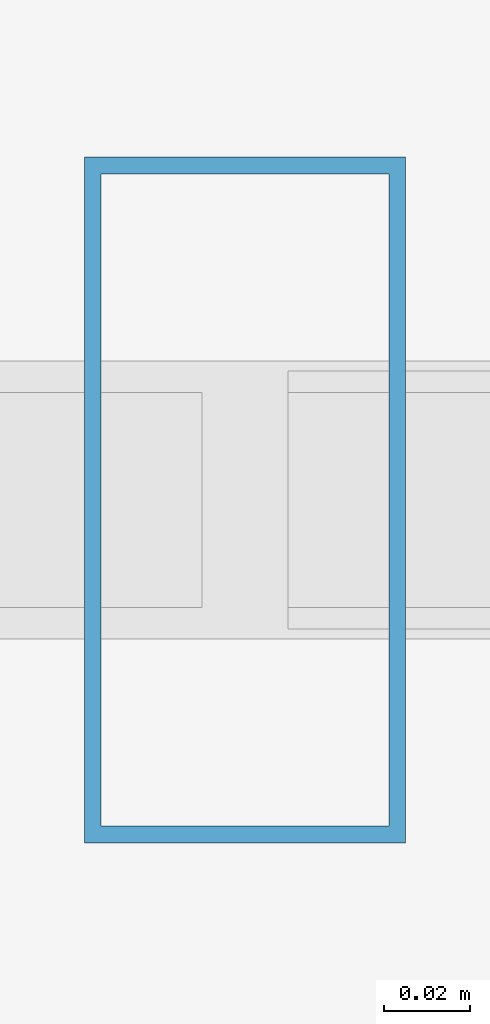
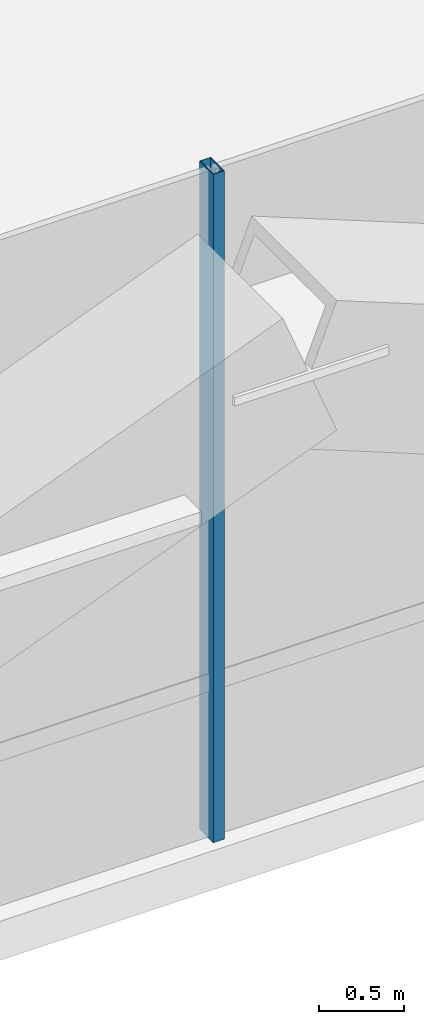
# One storey, part 8 of 39: 1 member, 1 element without a shape of its own.
"""IFC4 building model written with IfcOpenShell, lengths in metres."""

from ifc_helpers import new_model, si_unit, direction, frame, origin, origin_2d, place, context, subcontext, project, spatial, hollow_rectangle, extrude, source, transform, mapped, material, material_profile, profile_set, type_object, element, aggregate, save


model = new_model("IFC4")

# Units and contexts
model_context = context("Model", 3, precision=1e-05, world=origin(), true_north=direction((0.0, 1.0)))
body_context = subcontext(model_context, "Body", "Model", "MODEL_VIEW")
ifc_project = project(units=[si_unit("LENGTHUNIT", "METRE"), si_unit("AREAUNIT", "SQUARE_METRE"), si_unit("VOLUMEUNIT", "CUBIC_METRE"), si_unit("PLANEANGLEUNIT", "RADIAN"), si_unit("MASSUNIT", "GRAM", prefix="KILO")], contexts=[model_context])

# Site, building, storey
site_placement = place(None, origin())
site = spatial("IfcSite", under=ifc_project, at=site_placement, CompositionType="ELEMENT")
building_placement = place(site_placement, origin())
building = spatial("IfcBuilding", under=site, at=building_placement, Name="Valdorenza Pilgrim Sanctuary Tower", CompositionType="ELEMENT")
storey_placement = place(building_placement, frame((0.0, 0.0, 15.60009765625)))
storey = spatial("IfcBuildingStorey", under=building, at=storey_placement, Name="L03", CompositionType="ELEMENT", Elevation=15.60009765625)

# Curtain wall, member
ifc_material_1 = material(Name="Curtain-wall IGU glazing", Category="glass")
curtain_wall_type = type_object("IfcCurtainWallType", Name="CW-SYS-01", PredefinedType="NOTDEFINED", material=ifc_material_1)
curtain_wall_placement = place(storey_placement, origin())
curtain_wall = element("IfcCurtainWall", 1, at=curtain_wall_placement, inside=storey, type_object=curtain_wall_type, Name="L03 Curtain Wall CW-POD-L03-ARCH-BACK", PredefinedType="NOTDEFINED")
ifc_material_2 = material(Name="Anodised aluminium AW-6060", Category="aluminium")
ifc_material_profile = material_profile(ifc_material_2, hollow_rectangle(XDim=0.074951171875, YDim=0.159912109375, WallThickness=0.00390625, at=origin_2d()), Name="ALU-M 160x75x4")
ifc_profile_set = profile_set([ifc_material_profile], Name="Anodised aluminium AW-6060")
member_type = type_object("IfcMemberType", Name="CW-MUL-01", PredefinedType="MULLION", material=ifc_profile_set)
shared_shape = source(origin(), body_context, "Body", "SweptSolid", [
    extrude(hollow_rectangle(XDim=0.074951171875, YDim=0.159912109375, WallThickness=0.00390625, at=origin_2d()), origin(), (0.0, 0.0, 1.0), 4.7998046875),
])
member_placement = place(storey_placement, frame((0.0, -5.85009765625, 0.0), z_axis=(0.0, 0.0, 1.0), x_axis=(1.0, 0.0, 0.0)))
member = element("IfcMember", 2, at=member_placement, type_object=member_type, Name="CW-POD-L03-ARCH-BACK Mullion 3", PredefinedType="MULLION", context=body_context, shape_type="MappedRepresentation", body=[
    mapped(shared_shape, transform((0.0, 0.0, 0.0), x_axis=(1.0, 0.0, 0.0), y_axis=(0.0, 1.0, 0.0), z_axis=(0.0, 0.0, 1.0), scale=1.0)),
])
aggregate(curtain_wall, [member])

save(model, "model.ifc")
